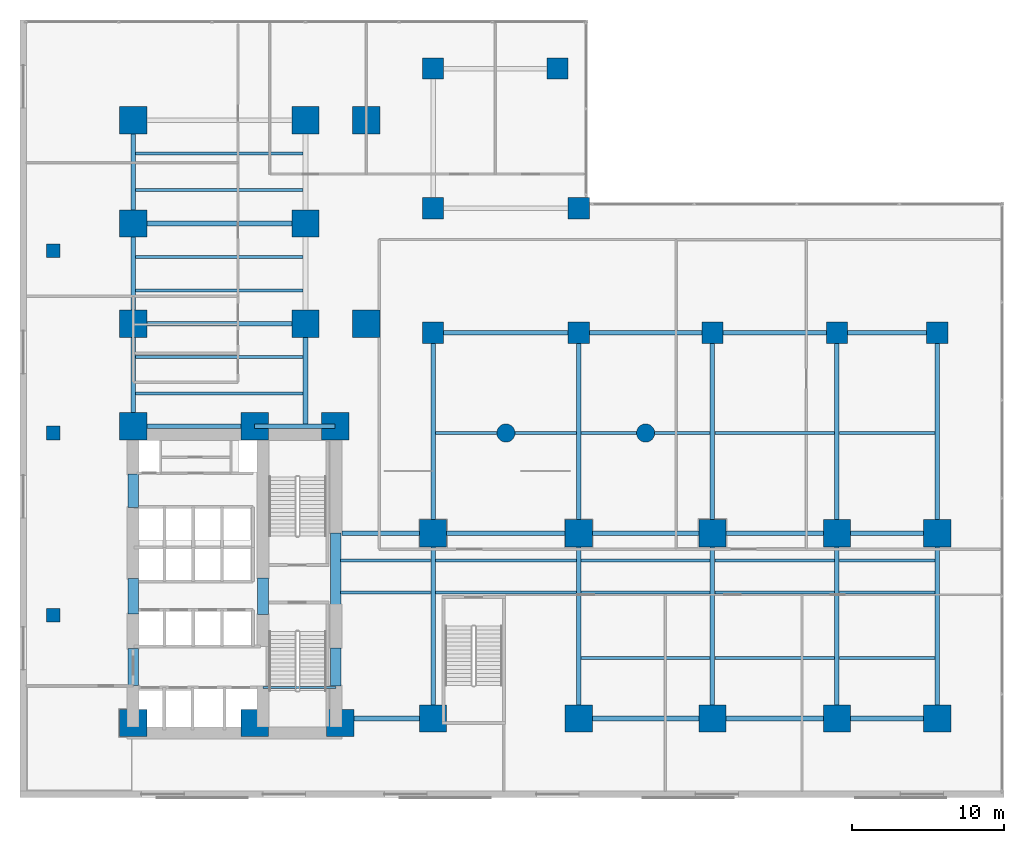
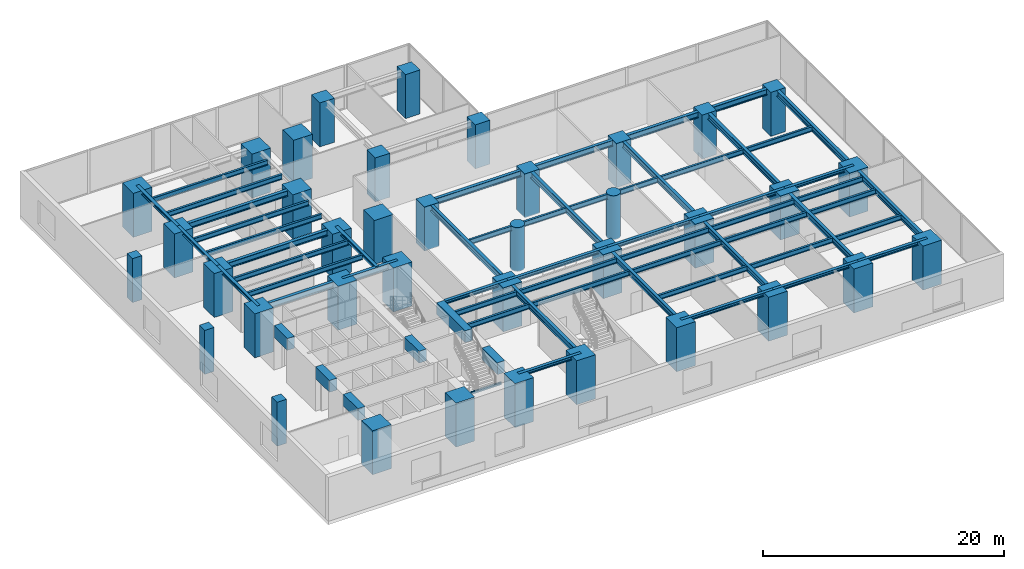
# One storey, part 1 of 16: 61 beams, 38 columns.
"""IFC4 building model written with IfcOpenShell, lengths in metres."""

from ifc_helpers import new_model, si_unit, direction, frame, origin, origin_2d, place, context, subcontext, project, spatial, rectangle, circle, i_section, extrude, material, material_profile, profile_set, type_object, element, save


model = new_model("IFC4")

# Units and contexts
model_context = context("Model", 3, precision=1e-05, world=origin(), true_north=direction((0.0, 1.0)))
body_context = subcontext(model_context, "Body", "Model", "MODEL_VIEW")
ifc_project = project(units=[si_unit("LENGTHUNIT", "METRE"), si_unit("AREAUNIT", "SQUARE_METRE"), si_unit("VOLUMEUNIT", "CUBIC_METRE"), si_unit("PLANEANGLEUNIT", "RADIAN"), si_unit("MASSUNIT", "GRAM", prefix="KILO")], contexts=[model_context])

# Site, building, storey
site_placement = place(None, origin())
site = spatial("IfcSite", under=ifc_project, at=site_placement, CompositionType="ELEMENT")
building_placement = place(site_placement, origin())
building = spatial("IfcBuilding", under=site, at=building_placement, Name="Kolvaren Waterfront Exchange", CompositionType="ELEMENT")
storey_placement = place(building_placement, frame((0.0, 0.0, 20.0)))
storey = spatial("IfcBuildingStorey", under=building, at=storey_placement, Name="L05", CompositionType="ELEMENT", Elevation=20.0)

# Columns
ifc_material_1 = material(Name="Concrete C70/85", Category="concrete")
ifc_material_profile_1 = material_profile(ifc_material_1, rectangle(XDim=1.39990234375, YDim=1.39990234375, at=origin_2d()), Name="RC-COL-1400x1400")
ifc_profile_set_1 = profile_set([ifc_material_profile_1], Name="Concrete C70/85")
column_type_1 = type_object("IfcColumnType", Name="STR-COL-1400-C70", PredefinedType="COLUMN", material=ifc_profile_set_1)
for number, where, z_axis, x_axis, name in (
    (1, (27.199951171875, 30.60009765625, 0.0), (0.0, 0.0, 1.0), (1.0, 0.0, 0.0), "L05 column PC01"),
    (2, (36.800048828125, 30.60009765625, 0.0), (0.0, 0.0, 1.0), (1.0, 0.0, 0.0), "L05 column PC02"),
    (3, (45.60009765625, 30.60009765625, 0.0), (0.0, 0.0, 1.0), (1.0, 0.0, 0.0), "L05 column PC03"),
    (4, (53.800048828125, 30.60009765625, 0.0), (0.0, 0.0, 1.0), (1.0, 0.0, 0.0), "L05 column PC04"),
    (5, (60.39990234375, 30.60009765625, 0.0), (0.0, 0.0, 1.0), (1.0, 0.0, 0.0), "L05 column PC05"),
    (6, (27.199951171875, 38.800048828125, 0.0), (0.0, 0.0, 1.0), (1.0, 0.0, 0.0), "L05 column PC06"),
    (7, (36.800048828125, 38.800048828125, 0.0), (0.0, 0.0, 1.0), (1.0, 0.0, 0.0), "L05 column PC07"),
    (8, (27.199951171875, 48.0, 0.0), (0.0, 0.0, 1.0), (1.0, 0.0, 0.0), "L05 column PC08"),
    (9, (35.39990234375, 48.0, 0.0), (0.0, 0.0, 1.0), (1.0, 0.0, 0.0), "L05 column PC09"),
):
    element("IfcColumn", number, at=place(storey_placement, frame(where, z_axis=z_axis, x_axis=x_axis)), inside=storey, type_object=column_type_1, Name=name, PredefinedType="COLUMN", context=body_context, shape_type="SweptSolid", body=[
        extrude(rectangle(XDim=1.39990234375, YDim=1.39990234375, at=origin_2d()), origin(), (0.0, 0.0, 1.0), 4.4599609375),
    ])
ifc_material_profile_2 = material_profile(ifc_material_1, rectangle(XDim=1.800048828125, YDim=1.800048828125, at=origin_2d()), Name="RC-COL-1800x1800")
ifc_profile_set_2 = profile_set([ifc_material_profile_2], Name="Concrete C70/85")
column_type_2 = type_object("IfcColumnType", Name="STR-COL-1800-C70", PredefinedType="COLUMN", material=ifc_profile_set_2)
for number, where, z_axis, x_axis, name in (
    (10, (7.449951171875, 4.89990234375, 0.0), (0.0, 0.0, 1.0), (1.0, 0.0, 0.0), "L05 column MC01"),
    (11, (15.449951171875, 4.89990234375, 0.0), (0.0, 0.0, 1.0), (1.0, 0.0, 0.0), "L05 column MC02"),
    (12, (21.10009765625, 4.89990234375, 0.0), (0.0, 0.0, 1.0), (1.0, 0.0, 0.0), "L05 column MC03"),
    (13, (7.449951171875, 24.449951171875, 0.0), (0.0, 0.0, 1.0), (1.0, 0.0, 0.0), "L05 column MC04"),
    (14, (15.449951171875, 24.449951171875, 0.0), (0.0, 0.0, 1.0), (1.0, 0.0, 0.0), "L05 column MC05"),
    (15, (20.75, 24.449951171875, 0.0), (0.0, 0.0, 1.0), (1.0, 0.0, 0.0), "L05 column MC06"),
    (16, (7.449951171875, 31.199951171875, 0.0), (0.0, 0.0, 1.0), (1.0, 0.0, 0.0), "L05 column NC01"),
    (17, (7.449951171875, 37.800048828125, 0.0), (0.0, 0.0, 1.0), (1.0, 0.0, 0.0), "L05 column NC02"),
    (18, (7.449951171875, 44.60009765625, 0.0), (0.0, 0.0, 1.0), (1.0, 0.0, 0.0), "L05 column NC03"),
    (19, (18.800048828125, 31.199951171875, 0.0), (0.0, 0.0, 1.0), (1.0, 0.0, 0.0), "L05 column NC04"),
    (20, (18.800048828125, 37.800048828125, 0.0), (0.0, 0.0, 1.0), (1.0, 0.0, 0.0), "L05 column NC05"),
    (21, (18.800048828125, 44.60009765625, 0.0), (0.0, 0.0, 1.0), (1.0, 0.0, 0.0), "L05 column NC06"),
    (22, (27.199951171875, 5.199951171875, 0.0), (0.0, 0.0, 1.0), (1.0, 0.0, 0.0), "L05 column EC01"),
    (23, (36.800048828125, 5.199951171875, 0.0), (0.0, 0.0, 1.0), (1.0, 0.0, 0.0), "L05 column EC02"),
    (24, (45.60009765625, 5.199951171875, 0.0), (0.0, 0.0, 1.0), (1.0, 0.0, 0.0), "L05 column EC03"),
    (25, (27.199951171875, 17.39990234375, 0.0), (0.0, 0.0, 1.0), (1.0, 0.0, 0.0), "L05 column EC04"),
    (26, (36.800048828125, 17.39990234375, 0.0), (0.0, 0.0, 1.0), (1.0, 0.0, 0.0), "L05 column EC05"),
    (27, (45.60009765625, 17.39990234375, 0.0), (0.0, 0.0, 1.0), (1.0, 0.0, 0.0), "L05 column EC06"),
    (28, (53.800048828125, 5.199951171875, 0.0), (0.0, 0.0, 1.0), (1.0, 0.0, 0.0), "L05 column ZC01"),
    (29, (53.800048828125, 17.39990234375, 0.0), (0.0, 0.0, 1.0), (1.0, 0.0, 0.0), "L05 column ZC02"),
    (30, (60.39990234375, 5.199951171875, 0.0), (0.0, 0.0, 1.0), (1.0, 0.0, 0.0), "L05 column ZC03"),
    (31, (60.39990234375, 17.39990234375, 0.0), (0.0, 0.0, 1.0), (1.0, 0.0, 0.0), "L05 column ZC04"),
    (32, (22.800048828125, 31.199951171875, 0.0), (0.0, 0.0, 1.0), (1.0, 0.0, 0.0), "L05 column ZC05"),
    (33, (22.800048828125, 44.60009765625, 0.0), (0.0, 0.0, 1.0), (1.0, 0.0, 0.0), "L05 column ZC06"),
):
    element("IfcColumn", number, at=place(storey_placement, frame(where, z_axis=z_axis, x_axis=x_axis)), inside=storey, type_object=column_type_2, Name=name, PredefinedType="COLUMN", context=body_context, shape_type="SweptSolid", body=[
        extrude(rectangle(XDim=1.800048828125, YDim=1.800048828125, at=origin_2d()), origin(), (0.0, 0.0, 1.0), 4.4599609375),
    ])
ifc_material_profile_3 = material_profile(ifc_material_1, circle(Radius=0.60009765625, at=origin_2d()), Name="RC-COL-D1200")
ifc_profile_set_3 = profile_set([ifc_material_profile_3], Name="Concrete C70/85")
column_type_3 = type_object("IfcColumnType", Name="STR-COL-D1200-C70", PredefinedType="COLUMN", material=ifc_profile_set_3)
for number, where, z_axis, x_axis, name in (
    (34, (32.0, 24.0, 0.0), (0.0, 0.0, 1.0), (1.0, 0.0, 0.0), "L05 column LC01"),
    (35, (41.199951171875, 24.0, 0.0), (0.0, 0.0, 1.0), (1.0, 0.0, 0.0), "L05 column LC02"),
):
    element("IfcColumn", number, at=place(storey_placement, frame(where, z_axis=z_axis, x_axis=x_axis)), inside=storey, type_object=column_type_3, Name=name, PredefinedType="COLUMN", context=body_context, shape_type="SweptSolid", body=[
        extrude(circle(Radius=0.60009765625, at=origin_2d()), origin(), (0.0, 0.0, 1.0), 4.4599609375),
    ])
ifc_material_profile_4 = material_profile(ifc_material_1, rectangle(XDim=0.89990234375, YDim=0.89990234375, at=origin_2d()), Name="RC-COL-900x900")
ifc_profile_set_4 = profile_set([ifc_material_profile_4], Name="Concrete C70/85")
column_type_4 = type_object("IfcColumnType", Name="STR-PIL-900-C70", PredefinedType="PILASTER", material=ifc_profile_set_4)
for number, where, z_axis, x_axis, name in (
    (36, (2.199951171875, 12.0, 0.0), (0.0, 0.0, 1.0), (1.0, 0.0, 0.0), "L05 column PL01"),
    (37, (2.199951171875, 24.0, 0.0), (0.0, 0.0, 1.0), (1.0, 0.0, 0.0), "L05 column PL02"),
    (38, (2.199951171875, 36.0, 0.0), (0.0, 0.0, 1.0), (1.0, 0.0, 0.0), "L05 column PL03"),
):
    element("IfcColumn", number, at=place(storey_placement, frame(where, z_axis=z_axis, x_axis=x_axis)), inside=storey, type_object=column_type_4, Name=name, PredefinedType="PILASTER", context=body_context, shape_type="SweptSolid", body=[
        extrude(rectangle(XDim=0.89990234375, YDim=0.89990234375, at=origin_2d()), origin(), (0.0, 0.0, 1.0), 4.4599609375),
    ])

# Beams
ifc_material_2 = material(Name="Steel S355", Category="steel")
ifc_material_profile_5 = material_profile(ifc_material_2, i_section(OverallWidth=0.300048828125, OverallDepth=0.360107421875, WebThickness=0.012451171875, FlangeThickness=0.0224609375, FilletRadius=0.027099609375, at=origin_2d()), Name="HEB360")
ifc_profile_set_5 = profile_set([ifc_material_profile_5], Name="Steel S355")
beam_type_1 = type_object("IfcBeamType", Name="STR-BM-HEB360", PredefinedType="SPANDREL", material=ifc_profile_set_5)
beam_1_placement = place(storey_placement, frame((7.449951171875, 24.449951171875, 4.280029296875), z_axis=(0.0, 1.0, 0.0), x_axis=(-1.0, 0.0, 0.0)))
element("IfcBeam", 39, at=beam_1_placement, inside=storey, type_object=beam_type_1, Name="L05 north-arm edge beam 1", PredefinedType="SPANDREL", context=body_context, shape_type="SweptSolid", body=[
    extrude(i_section(OverallWidth=0.300048828125, OverallDepth=0.360107421875, WebThickness=0.012451171875, FlangeThickness=0.0224609375, FilletRadius=0.027099609375, at=origin_2d()), origin(), (0.0, 0.0, 1.0), 6.75),
])
beam_2_placement = place(storey_placement, frame((7.449951171875, 31.199951171875, 4.280029296875), z_axis=(0.0, 1.0, 0.0), x_axis=(-1.0, 0.0, 0.0)))
element("IfcBeam", 40, at=beam_2_placement, inside=storey, type_object=beam_type_1, Name="L05 north-arm edge beam 2", PredefinedType="SPANDREL", context=body_context, shape_type="SweptSolid", body=[
    extrude(i_section(OverallWidth=0.300048828125, OverallDepth=0.360107421875, WebThickness=0.012451171875, FlangeThickness=0.0224609375, FilletRadius=0.027099609375, at=origin_2d()), origin(), (0.0, 0.0, 1.0), 6.60009765625),
])
beam_3_placement = place(storey_placement, frame((7.449951171875, 37.800048828125, 4.280029296875), z_axis=(0.0, 1.0, 0.0), x_axis=(-1.0, 0.0, 0.0)))
element("IfcBeam", 41, at=beam_3_placement, inside=storey, type_object=beam_type_1, Name="L05 north-arm edge beam 3", PredefinedType="SPANDREL", context=body_context, shape_type="SweptSolid", body=[
    extrude(i_section(OverallWidth=0.300048828125, OverallDepth=0.360107421875, WebThickness=0.012451171875, FlangeThickness=0.0224609375, FilletRadius=0.027099609375, at=origin_2d()), origin(), (0.0, 0.0, 1.0), 6.800048828125),
])
beam_4_placement = place(storey_placement, frame((18.800048828125, 24.449951171875, 4.280029296875), z_axis=(0.0, 1.0, 0.0), x_axis=(-1.0, 0.0, 0.0)))
element("IfcBeam", 42, at=beam_4_placement, inside=storey, type_object=beam_type_1, Name="L05 north-arm edge beam 1", PredefinedType="SPANDREL", context=body_context, shape_type="SweptSolid", body=[
    extrude(i_section(OverallWidth=0.300048828125, OverallDepth=0.360107421875, WebThickness=0.012451171875, FlangeThickness=0.0224609375, FilletRadius=0.027099609375, at=origin_2d()), origin(), (0.0, 0.0, 1.0), 6.75),
])
beam_5_placement = place(storey_placement, frame((21.199951171875, 5.199951171875, 4.280029296875), z_axis=(1.0, 0.0, 0.0), x_axis=(0.0, 1.0, 0.0)))
element("IfcBeam", 43, at=beam_5_placement, inside=storey, type_object=beam_type_1, Name="L05 east-arm spandrel S1", PredefinedType="SPANDREL", context=body_context, shape_type="SweptSolid", body=[
    extrude(i_section(OverallWidth=0.300048828125, OverallDepth=0.360107421875, WebThickness=0.012451171875, FlangeThickness=0.0224609375, FilletRadius=0.027099609375, at=origin_2d()), origin(), (0.0, 0.0, 1.0), 6.0),
])
beam_6_placement = place(storey_placement, frame((36.800048828125, 5.199951171875, 4.280029296875), z_axis=(1.0, 0.0, 0.0), x_axis=(0.0, 1.0, 0.0)))
element("IfcBeam", 44, at=beam_6_placement, inside=storey, type_object=beam_type_1, Name="L05 east-arm spandrel S3", PredefinedType="SPANDREL", context=body_context, shape_type="SweptSolid", body=[
    extrude(i_section(OverallWidth=0.300048828125, OverallDepth=0.360107421875, WebThickness=0.012451171875, FlangeThickness=0.0224609375, FilletRadius=0.027099609375, at=origin_2d()), origin(), (0.0, 0.0, 1.0), 8.800048828125),
])
beam_7_placement = place(storey_placement, frame((45.60009765625, 5.199951171875, 4.280029296875), z_axis=(1.0, 0.0, 0.0), x_axis=(0.0, 1.0, 0.0)))
element("IfcBeam", 45, at=beam_7_placement, inside=storey, type_object=beam_type_1, Name="L05 east-arm spandrel S4", PredefinedType="SPANDREL", context=body_context, shape_type="SweptSolid", body=[
    extrude(i_section(OverallWidth=0.300048828125, OverallDepth=0.360107421875, WebThickness=0.012451171875, FlangeThickness=0.0224609375, FilletRadius=0.027099609375, at=origin_2d()), origin(), (0.0, 0.0, 1.0), 8.199951171875),
])
beam_8_placement = place(storey_placement, frame((53.800048828125, 5.199951171875, 4.280029296875), z_axis=(1.0, 0.0, 0.0), x_axis=(0.0, 1.0, 0.0)))
element("IfcBeam", 46, at=beam_8_placement, inside=storey, type_object=beam_type_1, Name="L05 east-arm spandrel S5", PredefinedType="SPANDREL", context=body_context, shape_type="SweptSolid", body=[
    extrude(i_section(OverallWidth=0.300048828125, OverallDepth=0.360107421875, WebThickness=0.012451171875, FlangeThickness=0.0224609375, FilletRadius=0.027099609375, at=origin_2d()), origin(), (0.0, 0.0, 1.0), 6.599853515625),
])
beam_9_placement = place(storey_placement, frame((21.199951171875, 17.39990234375, 4.280029296875), z_axis=(1.0, 0.0, 0.0), x_axis=(0.0, 1.0, 0.0)))
element("IfcBeam", 47, at=beam_9_placement, inside=storey, type_object=beam_type_1, Name="L05 east-arm spandrel N1", PredefinedType="SPANDREL", context=body_context, shape_type="SweptSolid", body=[
    extrude(i_section(OverallWidth=0.300048828125, OverallDepth=0.360107421875, WebThickness=0.012451171875, FlangeThickness=0.0224609375, FilletRadius=0.027099609375, at=origin_2d()), origin(), (0.0, 0.0, 1.0), 6.0),
])
beam_10_placement = place(storey_placement, frame((27.199951171875, 17.39990234375, 4.280029296875), z_axis=(1.0, 0.0, 0.0), x_axis=(0.0, 1.0, 0.0)))
element("IfcBeam", 48, at=beam_10_placement, inside=storey, type_object=beam_type_1, Name="L05 east-arm spandrel N2", PredefinedType="SPANDREL", context=body_context, shape_type="SweptSolid", body=[
    extrude(i_section(OverallWidth=0.300048828125, OverallDepth=0.360107421875, WebThickness=0.012451171875, FlangeThickness=0.0224609375, FilletRadius=0.027099609375, at=origin_2d()), origin(), (0.0, 0.0, 1.0), 9.60009765625),
])
beam_11_placement = place(storey_placement, frame((36.800048828125, 17.39990234375, 4.280029296875), z_axis=(1.0, 0.0, 0.0), x_axis=(0.0, 1.0, 0.0)))
element("IfcBeam", 49, at=beam_11_placement, inside=storey, type_object=beam_type_1, Name="L05 east-arm spandrel N3", PredefinedType="SPANDREL", context=body_context, shape_type="SweptSolid", body=[
    extrude(i_section(OverallWidth=0.300048828125, OverallDepth=0.360107421875, WebThickness=0.012451171875, FlangeThickness=0.0224609375, FilletRadius=0.027099609375, at=origin_2d()), origin(), (0.0, 0.0, 1.0), 8.800048828125),
])
beam_12_placement = place(storey_placement, frame((45.60009765625, 17.39990234375, 4.280029296875), z_axis=(1.0, 0.0, 0.0), x_axis=(0.0, 1.0, 0.0)))
element("IfcBeam", 50, at=beam_12_placement, inside=storey, type_object=beam_type_1, Name="L05 east-arm spandrel N4", PredefinedType="SPANDREL", context=body_context, shape_type="SweptSolid", body=[
    extrude(i_section(OverallWidth=0.300048828125, OverallDepth=0.360107421875, WebThickness=0.012451171875, FlangeThickness=0.0224609375, FilletRadius=0.027099609375, at=origin_2d()), origin(), (0.0, 0.0, 1.0), 8.199951171875),
])
beam_13_placement = place(storey_placement, frame((53.800048828125, 17.39990234375, 4.280029296875), z_axis=(1.0, 0.0, 0.0), x_axis=(0.0, 1.0, 0.0)))
element("IfcBeam", 51, at=beam_13_placement, inside=storey, type_object=beam_type_1, Name="L05 east-arm spandrel N5", PredefinedType="SPANDREL", context=body_context, shape_type="SweptSolid", body=[
    extrude(i_section(OverallWidth=0.300048828125, OverallDepth=0.360107421875, WebThickness=0.012451171875, FlangeThickness=0.0224609375, FilletRadius=0.027099609375, at=origin_2d()), origin(), (0.0, 0.0, 1.0), 6.599853515625),
])
ifc_material_profile_6 = material_profile(ifc_material_2, i_section(OverallWidth=0.300048828125, OverallDepth=0.60009765625, WebThickness=0.015380859375, FlangeThickness=0.030029296875, FilletRadius=0.027099609375, at=origin_2d()), Name="HEB600")
ifc_profile_set_6 = profile_set([ifc_material_profile_6], Name="Steel S355")
beam_type_2 = type_object("IfcBeamType", Name="STR-BM-HEB600", PredefinedType="BEAM", material=ifc_profile_set_6)
beam_14_placement = place(storey_placement, frame((7.449951171875, 24.449951171875, 4.159912109375), z_axis=(1.0, 0.0, 0.0), x_axis=(0.0, 1.0, 0.0)))
element("IfcBeam", 52, at=beam_14_placement, inside=storey, type_object=beam_type_2, Name="L05 north-arm girder 1A", PredefinedType="BEAM", context=body_context, shape_type="SweptSolid", body=[
    extrude(i_section(OverallWidth=0.300048828125, OverallDepth=0.60009765625, WebThickness=0.015380859375, FlangeThickness=0.030029296875, FilletRadius=0.027099609375, at=origin_2d()), origin(), (0.0, 0.0, 1.0), 8.0),
])
beam_15_placement = place(storey_placement, frame((15.449951171875, 24.449951171875, 4.159912109375), z_axis=(1.0, 0.0, 0.0), x_axis=(0.0, 1.0, 0.0)))
element("IfcBeam", 53, at=beam_15_placement, inside=storey, type_object=beam_type_2, Name="L05 north-arm girder 1B", PredefinedType="BEAM", context=body_context, shape_type="SweptSolid", body=[
    extrude(i_section(OverallWidth=0.300048828125, OverallDepth=0.60009765625, WebThickness=0.015380859375, FlangeThickness=0.030029296875, FilletRadius=0.027099609375, at=origin_2d()), origin(), (0.0, 0.0, 1.0), 5.300048828125),
])
for number, where, z_axis, x_axis, name in (
    (54, (7.449951171875, 31.199951171875, 4.159912109375), (1.0, 0.0, 0.0), (0.0, 1.0, 0.0), "L05 north-arm girder 2"),
    (55, (7.449951171875, 37.800048828125, 4.159912109375), (1.0, 0.0, 0.0), (0.0, 1.0, 0.0), "L05 north-arm girder 3"),
):
    element("IfcBeam", number, at=place(storey_placement, frame(where, z_axis=z_axis, x_axis=x_axis)), inside=storey, type_object=beam_type_2, Name=name, PredefinedType="BEAM", context=body_context, shape_type="SweptSolid", body=[
        extrude(i_section(OverallWidth=0.300048828125, OverallDepth=0.60009765625, WebThickness=0.015380859375, FlangeThickness=0.030029296875, FilletRadius=0.027099609375, at=origin_2d()), origin(), (0.0, 0.0, 1.0), 11.35009765625),
    ])
for number, where, z_axis, x_axis, name in (
    (56, (27.199951171875, 5.199951171875, 4.159912109375), (0.0, 1.0, 0.0), (-1.0, 0.0, 0.0), "L05 east-arm transverse girder X27"),
    (57, (36.800048828125, 5.199951171875, 4.159912109375), (0.0, 1.0, 0.0), (-1.0, 0.0, 0.0), "L05 east-arm transverse girder X36"),
    (58, (45.60009765625, 5.199951171875, 4.159912109375), (0.0, 1.0, 0.0), (-1.0, 0.0, 0.0), "L05 east-arm transverse girder X45"),
    (59, (53.800048828125, 5.199951171875, 4.159912109375), (0.0, 1.0, 0.0), (-1.0, 0.0, 0.0), "L05 east-arm transverse girder X53"),
    (60, (60.39990234375, 5.199951171875, 4.159912109375), (0.0, 1.0, 0.0), (-1.0, 0.0, 0.0), "L05 east-arm transverse girder X60"),
):
    element("IfcBeam", number, at=place(storey_placement, frame(where, z_axis=z_axis, x_axis=x_axis)), inside=storey, type_object=beam_type_2, Name=name, PredefinedType="BEAM", context=body_context, shape_type="SweptSolid", body=[
        extrude(i_section(OverallWidth=0.300048828125, OverallDepth=0.60009765625, WebThickness=0.015380859375, FlangeThickness=0.030029296875, FilletRadius=0.027099609375, at=origin_2d()), origin(), (0.0, 0.0, 1.0), 12.199951171875),
    ])
for number, where, z_axis, x_axis, name in (
    (61, (27.199951171875, 17.39990234375, 4.159912109375), (0.0, 1.0, 0.0), (-1.0, 0.0, 0.0), "L05 podium hall girder X27"),
    (62, (36.800048828125, 17.39990234375, 4.159912109375), (0.0, 1.0, 0.0), (-1.0, 0.0, 0.0), "L05 podium hall girder X36"),
    (63, (45.60009765625, 17.39990234375, 4.159912109375), (0.0, 1.0, 0.0), (-1.0, 0.0, 0.0), "L05 podium hall girder X45"),
    (64, (53.800048828125, 17.39990234375, 4.159912109375), (0.0, 1.0, 0.0), (-1.0, 0.0, 0.0), "L05 podium hall girder X53"),
    (65, (60.39990234375, 17.39990234375, 4.159912109375), (0.0, 1.0, 0.0), (-1.0, 0.0, 0.0), "L05 podium hall girder X60"),
):
    element("IfcBeam", number, at=place(storey_placement, frame(where, z_axis=z_axis, x_axis=x_axis)), inside=storey, type_object=beam_type_2, Name=name, PredefinedType="BEAM", context=body_context, shape_type="SweptSolid", body=[
        extrude(i_section(OverallWidth=0.300048828125, OverallDepth=0.60009765625, WebThickness=0.015380859375, FlangeThickness=0.030029296875, FilletRadius=0.027099609375, at=origin_2d()), origin(), (0.0, 0.0, 1.0), 13.2001953125),
    ])
beam_16_placement = place(storey_placement, frame((27.199951171875, 30.60009765625, 4.159912109375), z_axis=(1.0, 0.0, 0.0), x_axis=(0.0, 1.0, 0.0)))
element("IfcBeam", 66, at=beam_16_placement, inside=storey, type_object=beam_type_2, Name="L05 podium longitudinal beam 1", PredefinedType="BEAM", context=body_context, shape_type="SweptSolid", body=[
    extrude(i_section(OverallWidth=0.300048828125, OverallDepth=0.60009765625, WebThickness=0.015380859375, FlangeThickness=0.030029296875, FilletRadius=0.027099609375, at=origin_2d()), origin(), (0.0, 0.0, 1.0), 9.60009765625),
])
beam_17_placement = place(storey_placement, frame((36.800048828125, 30.60009765625, 4.159912109375), z_axis=(1.0, 0.0, 0.0), x_axis=(0.0, 1.0, 0.0)))
element("IfcBeam", 67, at=beam_17_placement, inside=storey, type_object=beam_type_2, Name="L05 podium longitudinal beam 2", PredefinedType="BEAM", context=body_context, shape_type="SweptSolid", body=[
    extrude(i_section(OverallWidth=0.300048828125, OverallDepth=0.60009765625, WebThickness=0.015380859375, FlangeThickness=0.030029296875, FilletRadius=0.027099609375, at=origin_2d()), origin(), (0.0, 0.0, 1.0), 8.800048828125),
])
beam_18_placement = place(storey_placement, frame((45.60009765625, 30.60009765625, 4.159912109375), z_axis=(1.0, 0.0, 0.0), x_axis=(0.0, 1.0, 0.0)))
element("IfcBeam", 68, at=beam_18_placement, inside=storey, type_object=beam_type_2, Name="L05 podium longitudinal beam 3", PredefinedType="BEAM", context=body_context, shape_type="SweptSolid", body=[
    extrude(i_section(OverallWidth=0.300048828125, OverallDepth=0.60009765625, WebThickness=0.015380859375, FlangeThickness=0.030029296875, FilletRadius=0.027099609375, at=origin_2d()), origin(), (0.0, 0.0, 1.0), 8.199951171875),
])
beam_19_placement = place(storey_placement, frame((53.800048828125, 30.60009765625, 4.159912109375), z_axis=(1.0, 0.0, 0.0), x_axis=(0.0, 1.0, 0.0)))
element("IfcBeam", 69, at=beam_19_placement, inside=storey, type_object=beam_type_2, Name="L05 podium longitudinal beam 4", PredefinedType="BEAM", context=body_context, shape_type="SweptSolid", body=[
    extrude(i_section(OverallWidth=0.300048828125, OverallDepth=0.60009765625, WebThickness=0.015380859375, FlangeThickness=0.030029296875, FilletRadius=0.027099609375, at=origin_2d()), origin(), (0.0, 0.0, 1.0), 6.599853515625),
])
ifc_material_profile_7 = material_profile(ifc_material_2, i_section(OverallWidth=0.135009765625, OverallDepth=0.27001953125, WebThickness=0.006591796875, FlangeThickness=0.01025390625, FilletRadius=0.014892578125, at=origin_2d()), Name="IPE270")
ifc_profile_set_7 = profile_set([ifc_material_profile_7], Name="Steel S355")
beam_type_3 = type_object("IfcBeamType", Name="STR-BM-IPE270", PredefinedType="LINTEL", material=ifc_profile_set_7)
beam_20_placement = place(storey_placement, frame((16.0, 7.25, 2.364990234375), z_axis=(1.0, 0.0, 0.0), x_axis=(0.0, 1.0, 0.0)))
element("IfcBeam", 70, at=beam_20_placement, inside=storey, type_object=beam_type_3, Name="L05 core throat header lintel", PredefinedType="LINTEL", context=body_context, shape_type="SweptSolid", body=[
    extrude(i_section(OverallWidth=0.135009765625, OverallDepth=0.27001953125, WebThickness=0.006591796875, FlangeThickness=0.01025390625, FilletRadius=0.014892578125, at=origin_2d()), origin(), (0.0, 0.0, 1.0), 4.800048828125),
])
ifc_material_profile_8 = material_profile(ifc_material_2, i_section(OverallWidth=0.199951171875, OverallDepth=0.5, WebThickness=0.01025390625, FlangeThickness=0.01611328125, FilletRadius=0.02099609375, at=origin_2d()), Name="IPE500")
ifc_profile_set_8 = profile_set([ifc_material_profile_8], Name="Steel S355")
beam_type_4 = type_object("IfcBeamType", Name="STR-BM-IPE500", PredefinedType="JOIST", material=ifc_profile_set_8)
for number, where, z_axis, x_axis, name in (
    (71, (7.60205078125, 26.60009765625, 4.2099609375), (1.0, 0.0, 0.0), (0.0, 1.0, 0.0), "L05 north-arm composite joist 1"),
    (72, (7.60205078125, 29.0, 4.2099609375), (1.0, 0.0, 0.0), (0.0, 1.0, 0.0), "L05 north-arm composite joist 2"),
    (73, (7.60205078125, 33.39990234375, 4.2099609375), (1.0, 0.0, 0.0), (0.0, 1.0, 0.0), "L05 north-arm composite joist 3"),
    (74, (7.60205078125, 35.60009765625, 4.2099609375), (1.0, 0.0, 0.0), (0.0, 1.0, 0.0), "L05 north-arm composite joist 4"),
    (75, (7.60205078125, 40.0, 4.2099609375), (1.0, 0.0, 0.0), (0.0, 1.0, 0.0), "L05 north-arm composite joist 5"),
    (76, (7.60205078125, 42.39990234375, 4.2099609375), (1.0, 0.0, 0.0), (0.0, 1.0, 0.0), "L05 north-arm composite joist 6"),
):
    element("IfcBeam", number, at=place(storey_placement, frame(where, z_axis=z_axis, x_axis=x_axis)), inside=storey, type_object=beam_type_4, Name=name, PredefinedType="JOIST", context=body_context, shape_type="SweptSolid", body=[
        extrude(i_section(OverallWidth=0.199951171875, OverallDepth=0.5, WebThickness=0.01025390625, FlangeThickness=0.01611328125, FilletRadius=0.02099609375, at=origin_2d()), origin(), (0.0, 0.0, 1.0), 11.0458984375),
    ])
for number, where, z_axis, x_axis, name in (
    (77, (21.10009765625, 13.5, 4.2099609375), (1.0, 0.0, 0.0), (0.0, 1.0, 0.0), "L05 east-arm composite joist 1A"),
    (78, (21.10009765625, 15.60009765625, 4.2099609375), (1.0, 0.0, 0.0), (0.0, 1.0, 0.0), "L05 east-arm composite joist 1C"),
):
    element("IfcBeam", number, at=place(storey_placement, frame(where, z_axis=z_axis, x_axis=x_axis)), inside=storey, type_object=beam_type_4, Name=name, PredefinedType="JOIST", context=body_context, shape_type="SweptSolid", body=[
        extrude(i_section(OverallWidth=0.199951171875, OverallDepth=0.5, WebThickness=0.01025390625, FlangeThickness=0.01611328125, FilletRadius=0.02099609375, at=origin_2d()), origin(), (0.0, 0.0, 1.0), 5.947998046875),
    ])
for number, where, z_axis, x_axis, name in (
    (79, (27.35205078125, 13.5, 4.2099609375), (1.0, 0.0, 0.0), (0.0, 1.0, 0.0), "L05 east-arm composite joist 2A"),
    (80, (27.35205078125, 15.60009765625, 4.2099609375), (1.0, 0.0, 0.0), (0.0, 1.0, 0.0), "L05 east-arm composite joist 2C"),
):
    element("IfcBeam", number, at=place(storey_placement, frame(where, z_axis=z_axis, x_axis=x_axis)), inside=storey, type_object=beam_type_4, Name=name, PredefinedType="JOIST", context=body_context, shape_type="SweptSolid", body=[
        extrude(i_section(OverallWidth=0.199951171875, OverallDepth=0.5, WebThickness=0.01025390625, FlangeThickness=0.01611328125, FilletRadius=0.02099609375, at=origin_2d()), origin(), (0.0, 0.0, 1.0), 9.2958984375),
    ])
for number, where, z_axis, x_axis, name in (
    (81, (36.951904296875, 13.5, 4.2099609375), (1.0, 0.0, 0.0), (0.0, 1.0, 0.0), "L05 east-arm composite joist 3A"),
    (82, (36.951904296875, 15.60009765625, 4.2099609375), (1.0, 0.0, 0.0), (0.0, 1.0, 0.0), "L05 east-arm composite joist 3C"),
    (83, (36.951904296875, 9.199951171875, 4.2099609375), (1.0, 0.0, 0.0), (0.0, 1.0, 0.0), "L05 east-arm composite joist 3B"),
):
    element("IfcBeam", number, at=place(storey_placement, frame(where, z_axis=z_axis, x_axis=x_axis)), inside=storey, type_object=beam_type_4, Name=name, PredefinedType="JOIST", context=body_context, shape_type="SweptSolid", body=[
        extrude(i_section(OverallWidth=0.199951171875, OverallDepth=0.5, WebThickness=0.01025390625, FlangeThickness=0.01611328125, FilletRadius=0.02099609375, at=origin_2d()), origin(), (0.0, 0.0, 1.0), 8.49609375),
    ])
for number, where, z_axis, x_axis, name in (
    (84, (45.751953125, 13.5, 4.2099609375), (1.0, 0.0, 0.0), (0.0, 1.0, 0.0), "L05 east-arm composite joist 4A"),
    (85, (45.751953125, 15.60009765625, 4.2099609375), (1.0, 0.0, 0.0), (0.0, 1.0, 0.0), "L05 east-arm composite joist 4C"),
    (86, (45.751953125, 9.199951171875, 4.2099609375), (1.0, 0.0, 0.0), (0.0, 1.0, 0.0), "L05 east-arm composite joist 4B"),
):
    element("IfcBeam", number, at=place(storey_placement, frame(where, z_axis=z_axis, x_axis=x_axis)), inside=storey, type_object=beam_type_4, Name=name, PredefinedType="JOIST", context=body_context, shape_type="SweptSolid", body=[
        extrude(i_section(OverallWidth=0.199951171875, OverallDepth=0.5, WebThickness=0.01025390625, FlangeThickness=0.01611328125, FilletRadius=0.02099609375, at=origin_2d()), origin(), (0.0, 0.0, 1.0), 7.89599609375),
    ])
for number, where, z_axis, x_axis, name in (
    (87, (53.951904296875, 13.5, 4.2099609375), (1.0, 0.0, 0.0), (0.0, 1.0, 0.0), "L05 east-arm composite joist 5A"),
    (88, (53.951904296875, 15.60009765625, 4.2099609375), (1.0, 0.0, 0.0), (0.0, 1.0, 0.0), "L05 east-arm composite joist 5C"),
    (89, (53.951904296875, 9.199951171875, 4.2099609375), (1.0, 0.0, 0.0), (0.0, 1.0, 0.0), "L05 east-arm composite joist 5B"),
):
    element("IfcBeam", number, at=place(storey_placement, frame(where, z_axis=z_axis, x_axis=x_axis)), inside=storey, type_object=beam_type_4, Name=name, PredefinedType="JOIST", context=body_context, shape_type="SweptSolid", body=[
        extrude(i_section(OverallWidth=0.199951171875, OverallDepth=0.5, WebThickness=0.01025390625, FlangeThickness=0.01611328125, FilletRadius=0.02099609375, at=origin_2d()), origin(), (0.0, 0.0, 1.0), 6.296142578125),
    ])
beam_21_placement = place(storey_placement, frame((27.35205078125, 24.0, 4.2099609375), z_axis=(1.0, 0.0, 0.0), x_axis=(0.0, 1.0, 0.0)))
element("IfcBeam", 90, at=beam_21_placement, inside=storey, type_object=beam_type_4, Name="L05 podium trading joist 1", PredefinedType="JOIST", context=body_context, shape_type="SweptSolid", body=[
    extrude(i_section(OverallWidth=0.199951171875, OverallDepth=0.5, WebThickness=0.01025390625, FlangeThickness=0.01611328125, FilletRadius=0.02099609375, at=origin_2d()), origin(), (0.0, 0.0, 1.0), 9.2958984375),
])
beam_22_placement = place(storey_placement, frame((36.951904296875, 24.0, 4.2099609375), z_axis=(1.0, 0.0, 0.0), x_axis=(0.0, 1.0, 0.0)))
element("IfcBeam", 91, at=beam_22_placement, inside=storey, type_object=beam_type_4, Name="L05 podium trading joist 2", PredefinedType="JOIST", context=body_context, shape_type="SweptSolid", body=[
    extrude(i_section(OverallWidth=0.199951171875, OverallDepth=0.5, WebThickness=0.01025390625, FlangeThickness=0.01611328125, FilletRadius=0.02099609375, at=origin_2d()), origin(), (0.0, 0.0, 1.0), 8.49609375),
])
beam_23_placement = place(storey_placement, frame((45.751953125, 24.0, 4.2099609375), z_axis=(1.0, 0.0, 0.0), x_axis=(0.0, 1.0, 0.0)))
element("IfcBeam", 92, at=beam_23_placement, inside=storey, type_object=beam_type_4, Name="L05 podium trading joist 3", PredefinedType="JOIST", context=body_context, shape_type="SweptSolid", body=[
    extrude(i_section(OverallWidth=0.199951171875, OverallDepth=0.5, WebThickness=0.01025390625, FlangeThickness=0.01611328125, FilletRadius=0.02099609375, at=origin_2d()), origin(), (0.0, 0.0, 1.0), 7.89599609375),
])
beam_24_placement = place(storey_placement, frame((53.951904296875, 24.0, 4.2099609375), z_axis=(1.0, 0.0, 0.0), x_axis=(0.0, 1.0, 0.0)))
element("IfcBeam", 93, at=beam_24_placement, inside=storey, type_object=beam_type_4, Name="L05 podium trading joist 4", PredefinedType="JOIST", context=body_context, shape_type="SweptSolid", body=[
    extrude(i_section(OverallWidth=0.199951171875, OverallDepth=0.5, WebThickness=0.01025390625, FlangeThickness=0.01611328125, FilletRadius=0.02099609375, at=origin_2d()), origin(), (0.0, 0.0, 1.0), 6.296142578125),
])
ifc_material_profile_9 = material_profile(ifc_material_1, rectangle(XDim=0.699951171875, YDim=1.199951171875, at=origin_2d()), Name="RC-CB-1200x700")
ifc_profile_set_9 = profile_set([ifc_material_profile_9], Name="Concrete C70/85")
beam_type_5 = type_object("IfcBeamType", Name="STR-CB-1200", PredefinedType="SPANDREL", material=ifc_profile_set_9)
beam_25_placement = place(storey_placement, frame((20.800048828125, 7.340087890625, 3.860107421875), z_axis=(0.0, 1.0, 0.0), x_axis=(-1.0, 0.0, 0.0)))
element("IfcBeam", 94, at=beam_25_placement, inside=storey, type_object=beam_type_5, Name="L05 core coupling beam 1", PredefinedType="SPANDREL", context=body_context, shape_type="SweptSolid", body=[
    extrude(rectangle(XDim=0.699951171875, YDim=1.199951171875, at=origin_2d()), origin(), (0.0, 0.0, 1.0), 2.52001953125),
])
beam_26_placement = place(storey_placement, frame((20.800048828125, 12.68994140625, 3.860107421875), z_axis=(0.0, 1.0, 0.0), x_axis=(-1.0, 0.0, 0.0)))
element("IfcBeam", 95, at=beam_26_placement, inside=storey, type_object=beam_type_5, Name="L05 core coupling beam 2", PredefinedType="SPANDREL", context=body_context, shape_type="SweptSolid", body=[
    extrude(rectangle(XDim=0.699951171875, YDim=1.199951171875, at=origin_2d()), origin(), (0.0, 0.0, 1.0), 4.719970703125),
])
beam_27_placement = place(storey_placement, frame((7.449951171875, 7.389892578125, 3.860107421875), z_axis=(0.0, 1.0, 0.0), x_axis=(-1.0, 0.0, 0.0)))
element("IfcBeam", 96, at=beam_27_placement, inside=storey, type_object=beam_type_5, Name="L05 core coupling beam 3", PredefinedType="SPANDREL", context=body_context, shape_type="SweptSolid", body=[
    extrude(rectangle(XDim=0.699951171875, YDim=1.199951171875, at=origin_2d()), origin(), (0.0, 0.0, 1.0), 2.420166015625),
])
beam_28_placement = place(storey_placement, frame((7.449951171875, 12.090087890625, 3.860107421875), z_axis=(0.0, 1.0, 0.0), x_axis=(-1.0, 0.0, 0.0)))
element("IfcBeam", 97, at=beam_28_placement, inside=storey, type_object=beam_type_5, Name="L05 core coupling beam 4", PredefinedType="SPANDREL", context=body_context, shape_type="SweptSolid", body=[
    extrude(rectangle(XDim=0.699951171875, YDim=1.199951171875, at=origin_2d()), origin(), (0.0, 0.0, 1.0), 2.31982421875),
])
beam_29_placement = place(storey_placement, frame((7.449951171875, 19.10009765625, 3.860107421875), z_axis=(0.0, 1.0, 0.0), x_axis=(-1.0, 0.0, 0.0)))
element("IfcBeam", 98, at=beam_29_placement, inside=storey, type_object=beam_type_5, Name="L05 core coupling beam 5", PredefinedType="SPANDREL", context=body_context, shape_type="SweptSolid", body=[
    extrude(rectangle(XDim=0.699951171875, YDim=1.199951171875, at=origin_2d()), origin(), (0.0, 0.0, 1.0), 2.199951171875),
])
beam_30_placement = place(storey_placement, frame((16.0, 12.0400390625, 3.860107421875), z_axis=(0.0, 1.0, 0.0), x_axis=(-1.0, 0.0, 0.0)))
element("IfcBeam", 99, at=beam_30_placement, inside=storey, type_object=beam_type_5, Name="L05 core coupling beam 6", PredefinedType="SPANDREL", context=body_context, shape_type="SweptSolid", body=[
    extrude(rectangle(XDim=0.699951171875, YDim=1.199951171875, at=origin_2d()), origin(), (0.0, 0.0, 1.0), 2.419921875),
])

save(model, "model.ifc")
